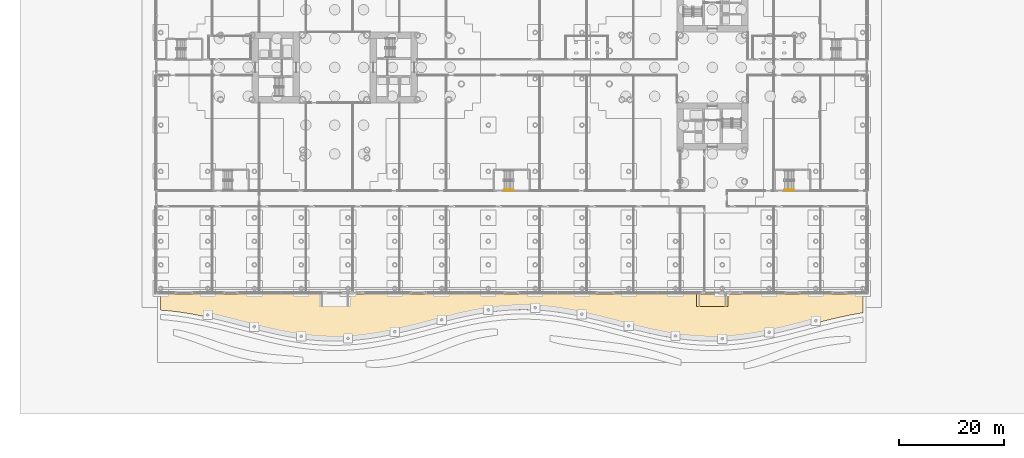
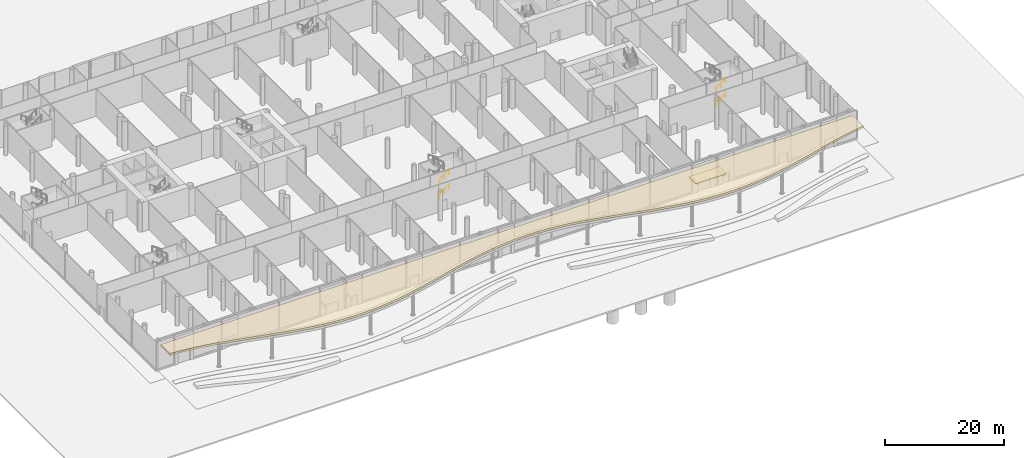
# One storey, part 67 of 75: 4 railings, 2 coverings.
"""IFC4 building model written with IfcOpenShell, lengths in metres."""

import ifcopenshell
import ifcopenshell.guid

model = None  # the IFC model being written
_history = None  # IfcOwnerHistory: only IFC2X3 demands one
_inside = {}  # id of a spatial element -> (the spatial element, [elements in it])
_under = {}  # id of a project, library or spatial element -> (it, [spatial elements below it])
_declared = {}  # id of a project -> (the project, [libraries it declares])
_typed = {}  # id of a type object -> (the type object, [elements of that type])
_made_of = {}  # id of a material, layer set ... -> (it, [elements and type objects made of it])


def new_model(schema):
    """Start an empty IFC model of exactly this schema.

    Asked for "IFC4X3", IfcOpenShell would pick the latest addendum, in which some entities
    have other attributes; the version numbers below select the first issue.
    IFC2X3 requires an IfcOwnerHistory on every rooted entity: one is made here for all.
    """
    global model, _history
    if schema == "IFC4X3":
        model = ifcopenshell.file(schema_version=(4, 3, 0, 0))
    else:
        model = ifcopenshell.file(schema=schema)
    _inside.clear()
    _under.clear()
    _declared.clear()
    _typed.clear()
    _made_of.clear()
    _history = None
    if model.schema == "IFC2X3":
        org = make("IfcOrganization", Name="unknown")
        user = make(
            "IfcPersonAndOrganization",
            ThePerson=make("IfcPerson", FamilyName="unknown"),
            TheOrganization=org,
        )
        app = make(
            "IfcApplication",
            ApplicationDeveloper=org,
            Version="unknown",
            ApplicationFullName="unknown",
            ApplicationIdentifier="unknown",
        )
        _history = make(
            "IfcOwnerHistory",
            OwningUser=user,
            OwningApplication=app,
            ChangeAction="ADDED",
            CreationDate=0,
        )
    return model


def make(cls, **values):
    """One entity of the class cls with the attributes given. An attribute that is None is left unset."""
    return model.create_entity(
        cls, **{name: value for name, value in values.items() if value is not None}
    )


def rooted(cls, **values):
    """An entity with a GlobalId (a new one), such as an element, a storey or a relation."""
    return make(cls, GlobalId=ifcopenshell.guid.new(), OwnerHistory=_history, **values)


def si_unit(unit_type, name, prefix=None):
    """IfcSIUnit, for example si_unit("LENGTHUNIT", "METRE", prefix="MILLI")."""
    return make("IfcSIUnit", UnitType=unit_type, Prefix=prefix, Name=name)


def assignment(units):
    """IfcUnitAssignment: the units of a project."""
    return None if units is None else make("IfcUnitAssignment", Units=units)


def point(xyz):
    """IfcCartesianPoint."""
    return None if xyz is None else make("IfcCartesianPoint", Coordinates=xyz)


def direction(xyz):
    """IfcDirection."""
    return None if xyz is None else make("IfcDirection", DirectionRatios=xyz)


def frame(location, z_axis=None, x_axis=None):
    """IfcAxis2Placement3D, a coordinate frame: its origin and axes. An axis left out is left unset."""
    return make(
        "IfcAxis2Placement3D",
        Location=point(location),
        Axis=direction(z_axis),
        RefDirection=direction(x_axis),
    )


def frame_2d(location, x_axis=None):
    """IfcAxis2Placement2D, a coordinate frame in the plane: its origin and x axis."""
    return make(
        "IfcAxis2Placement2D", Location=point(location), RefDirection=direction(x_axis)
    )


def origin():
    """The frame at (0, 0, 0) with its axes left unset."""
    return frame((0.0, 0.0, 0.0))


def origin_2d():
    """The frame at (0, 0) in the plane with its x axis left unset."""
    return frame_2d((0.0, 0.0))


def place(relative_to, where):
    """IfcLocalPlacement: puts the frame where relative to a parent placement (None: the world)."""
    return make(
        "IfcLocalPlacement", PlacementRelTo=relative_to, RelativePlacement=where
    )


def context(
    kind, dimensions, precision=None, world=None, true_north=None, identifier=None
):
    """IfcGeometricRepresentationContext, for example the 3D "Model" context."""
    return make(
        "IfcGeometricRepresentationContext",
        ContextIdentifier=identifier,
        ContextType=kind,
        CoordinateSpaceDimension=dimensions,
        Precision=precision,
        WorldCoordinateSystem=world,
        TrueNorth=true_north,
    )


def subcontext(parent, identifier, kind, view, scale=None):
    """IfcGeometricRepresentationSubContext, for example "Body" below "Model"."""
    return make(
        "IfcGeometricRepresentationSubContext",
        ContextIdentifier=identifier,
        ContextType=kind,
        ParentContext=parent,
        TargetScale=scale,
        TargetView=view,
    )


def project(units=None, contexts=None):
    """IfcProject with its units and contexts."""
    return rooted(
        "IfcProject",
        Name="project",
        RepresentationContexts=contexts,
        UnitsInContext=assignment(units),
    )


def spatial(cls, under=None, at=None, **own):
    """A site, building, storey or space (cls), placed at a placement, below another one or the project."""
    s = rooted(cls, ObjectPlacement=at, **own)
    if under is not None:
        _under.setdefault(under.id(), (under, []))[1].append(s)
    return s


def polyline(points):
    """IfcPolyline through the points."""
    return make("IfcPolyline", Points=[point(p) for p in points])


def profile(cls, at=None, kind="AREA", **sizes):
    """A parametric profile (cls). Its sizes go by their IFC names, for example OverallWidth=200.0."""
    return make(cls, ProfileType=kind, Position=at, **sizes)


def circle(**sizes):
    """IfcCircleProfileDef."""
    return profile("IfcCircleProfileDef", **sizes)


def outline(outer, holes=None, kind="AREA"):
    """IfcArbitraryClosedProfileDef: a profile drawn as a closed curve; with holes, ...WithVoids."""
    if holes is None:
        return make("IfcArbitraryClosedProfileDef", ProfileType=kind, OuterCurve=outer)
    return make(
        "IfcArbitraryProfileDefWithVoids",
        ProfileType=kind,
        OuterCurve=outer,
        InnerCurves=holes,
    )


def extrude(swept, where, along, depth):
    """IfcExtrudedAreaSolid: the profile swept, set in the frame where, extruded along a direction by depth."""
    return make(
        "IfcExtrudedAreaSolid",
        SweptArea=swept,
        Position=where,
        ExtrudedDirection=direction(along),
        Depth=depth,
    )


def shape(context_of_items, identifier, shape_type, items):
    """IfcShapeRepresentation: the items that make up one representation, for example the "Body"."""
    return make(
        "IfcShapeRepresentation",
        ContextOfItems=context_of_items,
        RepresentationIdentifier=identifier,
        RepresentationType=shape_type,
        Items=items,
    )


def material(Name=None, Category=None):
    """IfcMaterial."""
    return make("IfcMaterial", Name=Name, Category=Category)


def layer(
    of_material, thickness, ventilated=None, Name=None, Category=None, Priority=None
):
    """IfcMaterialLayer: one layer of a wall or slab, of a material (None: an air gap)."""
    return make(
        "IfcMaterialLayer",
        Material=of_material,
        LayerThickness=thickness,
        IsVentilated=ventilated,
        Name=Name,
        Category=Category,
        Priority=Priority,
    )


def layer_set(layers, Name=None):
    """IfcMaterialLayerSet."""
    return make("IfcMaterialLayerSet", MaterialLayers=layers, LayerSetName=Name)


def made_of(thing, what):
    """Note that an element or type object is made of a material, layer set ...; save() writes the relation."""
    if what is not None:
        _made_of.setdefault(what.id(), (what, []))[1].append(thing)
    return thing


def type_object(cls, material=None, **own):
    """A type object (cls), such as IfcWallType, which elements share."""
    return made_of(rooted(cls, **own), material)


def element(
    cls,
    number,
    at=None,
    inside=None,
    cuts=None,
    type_object=None,
    material=None,
    context=None,
    identifier="Body",
    shape_type=None,
    held_by="IfcProductDefinitionShape",
    body=None,
    shapes=None,
    **own,
):
    """One element of the class cls, such as IfcWall. Its Tag is "e" and its number.

    at: its placement. inside: the storey or other place that contains it. cuts: it is an
    opening in that element (IfcRelVoidsElement). A single representation is given by context,
    identifier, shape_type and body (its items); several are given by shapes. held_by: the class
    of the entity that holds the representations. save() writes the other relations.
    """
    e = rooted(cls, Tag="e%d" % number, ObjectPlacement=at, **own)
    if body is not None:
        shapes = [shape(context, identifier, shape_type, body)]
    if shapes is not None:
        e.Representation = make(held_by, Representations=shapes)
    if inside is not None:
        _inside.setdefault(inside.id(), (inside, []))[1].append(e)
    if cuts is not None:
        rooted(
            "IfcRelVoidsElement", RelatingBuildingElement=cuts, RelatedOpeningElement=e
        )
    if type_object is not None:
        _typed.setdefault(type_object.id(), (type_object, []))[1].append(e)
    return made_of(e, material)


def aggregate(whole, parts):
    """IfcRelAggregates: a whole, such as a stair, and the parts it consists of."""
    return rooted("IfcRelAggregates", RelatingObject=whole, RelatedObjects=parts)


def save(model, path):
    """Write the relations noted so far, then the file.

    IfcRelAggregates (storeys below a building ...), IfcRelContainedInSpatialStructure (elements
    in a storey), IfcRelDefinesByType, IfcRelAssociatesMaterial and IfcRelDeclares: one each for
    every whole, place, type object, material and project.
    """
    for whole, parts in _under.values():
        aggregate(whole, parts)
    for where, things in _inside.values():
        rooted(
            "IfcRelContainedInSpatialStructure",
            RelatedElements=things,
            RelatingStructure=where,
        )
    for kind, things in _typed.values():
        rooted("IfcRelDefinesByType", RelatedObjects=things, RelatingType=kind)
    for what, things in _made_of.values():
        rooted("IfcRelAssociatesMaterial", RelatedObjects=things, RelatingMaterial=what)
    for by, libraries in _declared.values():
        rooted("IfcRelDeclares", RelatingContext=by, RelatedDefinitions=libraries)
    model.write(path)


model = new_model("IFC4")

# Units and contexts
model_context = context("Model", 3, precision=1e-05, world=origin(), true_north=direction((0.0, 1.0)))
body_context = subcontext(model_context, "Body", "Model", "MODEL_VIEW")
ifc_project = project(units=[si_unit("LENGTHUNIT", "METRE"), si_unit("AREAUNIT", "SQUARE_METRE"), si_unit("VOLUMEUNIT", "CUBIC_METRE"), si_unit("PLANEANGLEUNIT", "RADIAN"), si_unit("MASSUNIT", "GRAM", prefix="KILO")], contexts=[model_context])

# Site, building, storey
site_placement = place(None, origin())
site = spatial("IfcSite", under=ifc_project, at=site_placement, CompositionType="ELEMENT")
building_placement = place(site_placement, origin())
building = spatial("IfcBuilding", under=site, at=building_placement, Name="Ipe Terrace Towers", CompositionType="ELEMENT")
storey_placement = place(building_placement, origin())
storey = spatial("IfcBuildingStorey", under=building, at=storey_placement, Name="L00", CompositionType="ELEMENT", Elevation=0.0)

# Coverings
ifc_material_1 = material(Name="Concrete C40/50 cast in place", Category="concrete")
ifc_layer_1 = layer(ifc_material_1, 0.39990234375)
ifc_layer_set_1 = layer_set([ifc_layer_1], Name="CONCRETE MARQUISE 400")
covering_type_1 = type_object("IfcCoveringType", Name="CONCRETE MARQUISE 400", PredefinedType="USERDEFINED", material=ifc_layer_set_1)
covering_1_placement = place(storey_placement, frame((0.0, 0.0, 4.800048828125)))
element("IfcCovering", 1, at=covering_1_placement, inside=storey, type_object=covering_type_1, Name="waterfront marquise", ObjectType="CANOPY", PredefinedType="USERDEFINED", context=body_context, shape_type="SweptSolid", body=[
    extrude(outline(polyline([(-69.25, -43.18994140625), (-69.25, -46.27587890625), (-67.743896484375, -46.39501953125), (-66.239013671875, -46.56103515625), (-64.73291015625, -46.77294921875), (-63.22802734375, -47.027099609375), (-61.721923828125, -47.318115234375), (-60.216064453125, -47.64111328125), (-58.7109375, -47.990966796875), (-57.205078125, -48.362060546875), (-55.698974609375, -48.7470703125), (-54.194091796875, -49.138916015625), (-52.68798828125, -49.532958984375), (-51.18310546875, -49.919921875), (-49.677001953125, -50.294921875), (-48.1708984375, -50.65087890625), (-46.666015625, -50.98193359375), (-45.159912109375, -51.281005859375), (-43.654052734375, -51.544921875), (-42.14892578125, -51.76806640625), (-40.64306640625, -51.947021484375), (-39.137939453125, -52.077880859375), (-37.632080078125, -52.159912109375), (-36.1259765625, -52.18994140625), (-34.62109375, -52.16796875), (-33.114990234375, -52.094970703125), (-31.610107421875, -51.971923828125), (-30.10400390625, -51.802001953125), (-28.597900390625, -51.5859375), (-27.093017578125, -51.327880859375), (-25.5869140625, -51.033935546875), (-24.0810546875, -50.7080078125), (-22.575927734375, -50.35595703125), (-21.070068359375, -49.98388671875), (-19.56494140625, -49.597900390625), (-18.05908203125, -49.205078125), (-16.552978515625, -48.81201171875), (-15.048095703125, -48.426025390625), (-13.5419921875, -48.052001953125), (-12.037109375, -47.697998046875), (-10.531005859375, -47.3701171875), (-9.02490234375, -47.072998046875), (-7.52001953125, -46.81298828125), (-6.013916015625, -46.593994140625), (-4.508056640625, -46.4189453125), (-3.0029296875, -46.2919921875), (-1.4970703125, -46.216064453125), (0.008056640625, -46.18994140625), (1.513916015625, -46.216064453125), (3.02001953125, -46.2939453125), (4.52490234375, -46.4208984375), (6.031005859375, -46.595947265625), (7.537109375, -46.81591796875), (9.0419921875, -47.075927734375), (10.548095703125, -47.3740234375), (12.052978515625, -47.701904296875), (13.55908203125, -48.055908203125), (15.06494140625, -48.429931640625), (16.570068359375, -48.81689453125), (18.075927734375, -49.2099609375), (19.5810546875, -49.60302734375), (21.0869140625, -49.988037109375), (22.593017578125, -50.360107421875), (24.097900390625, -50.7119140625), (25.60400390625, -51.0380859375), (27.110107421875, -51.33203125), (28.614990234375, -51.587890625), (30.12109375, -51.803955078125), (31.6259765625, -51.97412109375), (33.132080078125, -52.096923828125), (34.637939453125, -52.1689453125), (36.14306640625, -52.18994140625), (37.64892578125, -52.158935546875), (39.154052734375, -52.076904296875), (40.659912109375, -51.945068359375), (42.166015625, -51.76611328125), (43.6708984375, -51.5419921875), (45.177001953125, -51.278076171875), (46.68310546875, -50.97802734375), (48.18798828125, -50.64697265625), (49.694091796875, -50.291015625), (51.198974609375, -49.916015625), (52.705078125, -49.528076171875), (54.2109375, -49.135009765625), (55.716064453125, -48.741943359375), (57.221923828125, -48.35791015625), (58.72802734375, -47.987060546875), (60.23291015625, -47.636962890625), (61.739013671875, -47.31494140625), (63.243896484375, -47.02392578125), (64.75, -46.77099609375), (64.75, -43.18994140625), (-69.25, -43.18994140625)])), origin(), (0.0, 0.0, 1.0), 0.39990234375),
])
ifc_material_2 = material(Name="Steel S355 framed laminated glass canopy", Category="steel")
ifc_layer_2 = layer(ifc_material_2, 0.14990234375)
ifc_layer_set_2 = layer_set([ifc_layer_2], Name="ENTRANCE CANOPY 150")
covering_type_2 = type_object("IfcCoveringType", Name="ENTRANCE CANOPY 150", PredefinedType="USERDEFINED", material=ifc_layer_set_2)
covering_2_placement = place(storey_placement, frame((0.0, 0.0, 3.60009765625)))
element("IfcCovering", 2, at=covering_2_placement, inside=storey, type_object=covering_type_2, Name="entrance canopy", ObjectType="CANOPY", PredefinedType="USERDEFINED", context=body_context, shape_type="SweptSolid", body=[
    extrude(outline(polyline([(33.0, -45.590087890625), (39.0, -45.590087890625), (39.0, -43.18994140625), (33.0, -43.18994140625), (33.0, -45.590087890625)])), origin(), (0.0, 0.0, 1.0), 0.14990234375),
])

# Railings
ifc_material_3 = material(Name="Stainless steel grade 304", Category="steel")
railing_type = type_object("IfcRailingType", Name="Stair handrail 900", PredefinedType="HANDRAIL", material=ifc_material_3)
for number, where, name in (
    (3, (-3.75, -23.35009765625, 0.1875), "L00 PS5 stair handrail 1"),
    (4, (-3.75, -23.35009765625, 3.1875), "L00 PS5 stair handrail 3"),
    (5, (49.77001953125, -23.35009765625, 0.1875), "L00 PS6 stair handrail 1"),
    (6, (49.77001953125, -23.35009765625, 3.1875), "L00 PS6 stair handrail 3"),
):
    element("IfcRailing", number, at=place(storey_placement, frame(where)), inside=storey, type_object=railing_type, Name=name, PredefinedType="HANDRAIL", context=body_context, shape_type="SweptSolid", body=[
        extrude(circle(Radius=0.02392578125, at=origin_2d()), frame((0.0, 0.0, 0.8759765625), z_axis=(0.811100754333, 0.0, 0.584906459462), x_axis=(0.0, 1.0, 0.0)), (0.0, 0.0, 1.0), 2.243896484375),
        extrude(circle(Radius=0.02099609375, at=origin_2d()), origin(), (0.0, 0.0, 1.0), 0.851806640625),
        extrude(circle(Radius=0.02099609375, at=origin_2d()), frame((0.91015625, 0.0, 0.65625)), (0.0, 0.0, 1.0), 0.851806640625),
        extrude(circle(Radius=0.02099609375, at=origin_2d()), frame((1.820068359375, 0.0, 1.3125)), (0.0, 0.0, 1.0), 0.851806640625),
    ])

save(model, "model.ifc")
